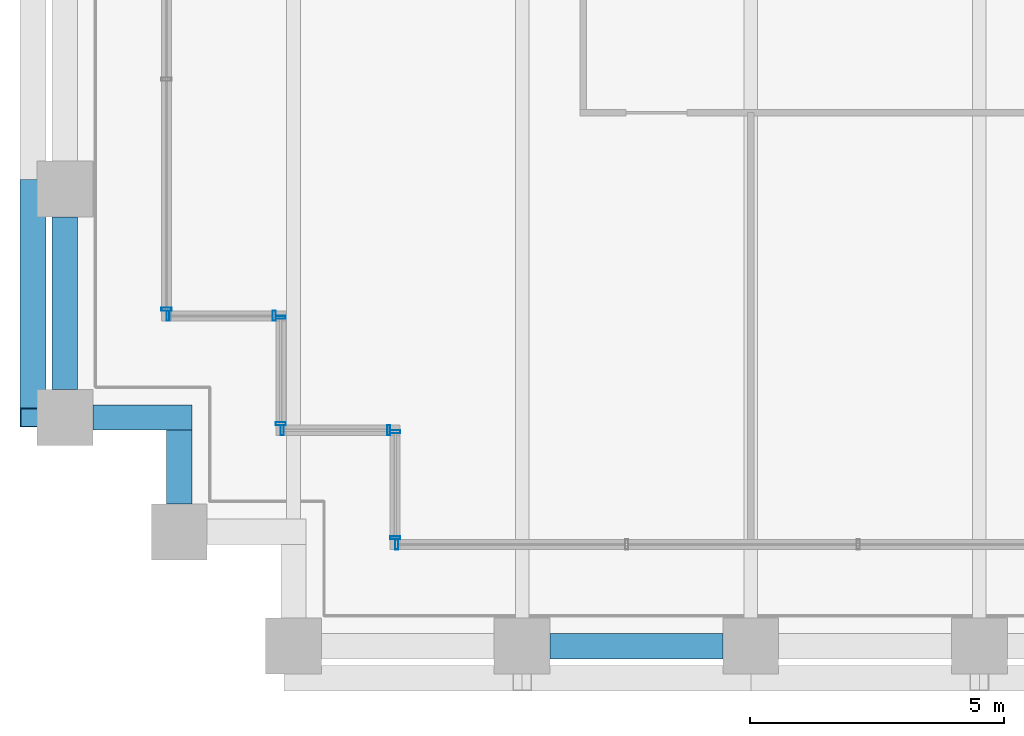
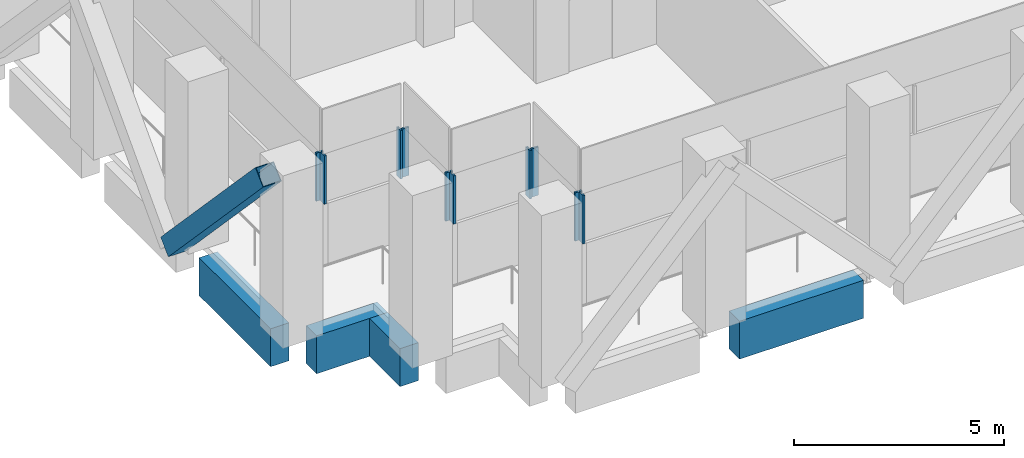
# One storey, part 2 of 44: 11 members, 4 beams, 6 elements without a shape of their own.
"""IFC4 building model written with IfcOpenShell, lengths in metres."""

from ifc_helpers import new_model, si_unit, direction, frame, origin, origin_2d, place, context, subcontext, project, spatial, rectangle, hollow_rectangle, extrude, material, material_profile, profile_set, type_object, element, aggregate, save


model = new_model("IFC4")

# Units and contexts
model_context = context("Model", 3, precision=1e-05, world=origin(), true_north=direction((0.0, 1.0)))
body_context = subcontext(model_context, "Body", "Model", "MODEL_VIEW")
ifc_project = project(units=[si_unit("LENGTHUNIT", "METRE"), si_unit("AREAUNIT", "SQUARE_METRE"), si_unit("VOLUMEUNIT", "CUBIC_METRE"), si_unit("PLANEANGLEUNIT", "RADIAN"), si_unit("MASSUNIT", "GRAM", prefix="KILO")], contexts=[model_context])

# Site, building, storey
site_placement = place(None, origin())
site = spatial("IfcSite", under=ifc_project, at=site_placement, CompositionType="ELEMENT")
building_placement = place(site_placement, origin())
building = spatial("IfcBuilding", under=site, at=building_placement, Name="Altepetl Exchange Towers", CompositionType="ELEMENT")
storey_placement = place(building_placement, frame((0.0, 0.0, 87.0)))
storey = spatial("IfcBuildingStorey", under=building, at=storey_placement, Name="L21 Refuge", CompositionType="ELEMENT", Elevation=87.0)

# Member
ifc_material_1 = material(Name="Steel S355", Category="steel")
ifc_material_profile_1 = material_profile(ifc_material_1, hollow_rectangle(XDim=0.508056640625, YDim=0.508056640625, WallThickness=0.017578125, at=origin_2d()), Name="HSS508X508X19.0")
ifc_profile_set_1 = profile_set([ifc_material_profile_1], Name="Steel S355")
member_type_1 = type_object("IfcMemberType", Name="Belt diagonal HSS508X508X19.0", PredefinedType="BRACE", material=ifc_profile_set_1)
member_1_placement = place(storey_placement, frame((26.3701171875, 36.0, 0.0), z_axis=(0.0, -0.687744647911, 0.725952683906), x_axis=(1.0, 0.0, 0.0)))
element("IfcMember", 1, at=member_1_placement, inside=storey, type_object=member_type_1, Name="brc:A:L21:028", PredefinedType="BRACE", context=body_context, shape_type="SweptSolid", body=[
    extrude(hollow_rectangle(XDim=0.508056640625, YDim=0.508056640625, WallThickness=0.017578125, at=origin_2d()), origin(), (0.0, 0.0, 1.0), 6.543212890625),
])

# Curtain wall, member
ifc_material_2 = material(Name="Aluminium 6063-T6 glazing", Category="aluminium")
curtain_wall_type = type_object("IfcCurtainWallType", Name="Refuge slit glazing system", PredefinedType="NOTDEFINED", material=ifc_material_2)
curtain_wall_1_placement = place(storey_placement, origin())
curtain_wall_1 = element("IfcCurtainWall", 2, at=curtain_wall_1_placement, inside=storey, type_object=curtain_wall_type, Name="CW3 run", PredefinedType="NOTDEFINED")
ifc_material_3 = material(Name="Aluminium 6063-T6", Category="aluminium")
ifc_material_profile_2 = material_profile(ifc_material_3, hollow_rectangle(XDim=0.06005859375, YDim=0.199951171875, WallThickness=0.0029296875, at=origin_2d()), Name="Mullion 60x200 aluminium")
ifc_profile_set_2 = profile_set([ifc_material_profile_2], Name="Aluminium 6063-T6")
member_type_2 = type_object("IfcMemberType", Name="Mullion 60x200 aluminium", PredefinedType="MULLION", material=ifc_profile_set_2)
member_2_placement = place(storey_placement, frame((29.0, 33.6298828125, 1.800048828125), z_axis=(0.0, 0.0, 1.0), x_axis=(0.0, -1.0, 0.0)))
member_2 = element("IfcMember", 3, at=member_2_placement, type_object=member_type_2, Name="MU2 mullion", PredefinedType="MULLION", context=body_context, shape_type="SweptSolid", body=[
    extrude(hollow_rectangle(XDim=0.06005859375, YDim=0.199951171875, WallThickness=0.0029296875, at=origin_2d()), origin(), (0.0, 0.0, 1.0), 1.39990234375),
])
aggregate(curtain_wall_1, [member_2])

# Curtain wall, members
curtain_wall_2_placement = place(storey_placement, origin())
curtain_wall_2 = element("IfcCurtainWall", 4, at=curtain_wall_2_placement, inside=storey, type_object=curtain_wall_type, Name="CW3 run", PredefinedType="NOTDEFINED")
member_3_placement = place(storey_placement, frame((29.030029296875, 33.5, 1.800048828125)))
member_3 = element("IfcMember", 5, at=member_3_placement, type_object=member_type_2, Name="MU2 mullion", PredefinedType="MULLION", context=body_context, shape_type="SweptSolid", body=[
    extrude(hollow_rectangle(XDim=0.06005859375, YDim=0.199951171875, WallThickness=0.0029296875, at=origin_2d()), origin(), (0.0, 0.0, 1.0), 1.39990234375),
])
member_4_placement = place(storey_placement, frame((31.1201171875, 33.5, 1.800048828125)))
member_4 = element("IfcMember", 6, at=member_4_placement, type_object=member_type_2, Name="MU2 mullion", PredefinedType="MULLION", context=body_context, shape_type="SweptSolid", body=[
    extrude(hollow_rectangle(XDim=0.06005859375, YDim=0.199951171875, WallThickness=0.0029296875, at=origin_2d()), origin(), (0.0, 0.0, 1.0), 1.39990234375),
])
aggregate(curtain_wall_2, [member_3, member_4])

curtain_wall_3_placement = place(storey_placement, origin())
curtain_wall_3 = element("IfcCurtainWall", 7, at=curtain_wall_3_placement, inside=storey, type_object=curtain_wall_type, Name="CW3 run", PredefinedType="NOTDEFINED")
member_5_placement = place(storey_placement, frame((31.25, 33.469970703125, 1.800048828125), z_axis=(0.0, 0.0, 1.0), x_axis=(0.0, -1.0, 0.0)))
member_5 = element("IfcMember", 8, at=member_5_placement, type_object=member_type_2, Name="MU2 mullion", PredefinedType="MULLION", context=body_context, shape_type="SweptSolid", body=[
    extrude(hollow_rectangle(XDim=0.06005859375, YDim=0.199951171875, WallThickness=0.0029296875, at=origin_2d()), origin(), (0.0, 0.0, 1.0), 1.39990234375),
])
member_6_placement = place(storey_placement, frame((31.25, 31.3798828125, 1.800048828125), z_axis=(0.0, 0.0, 1.0), x_axis=(0.0, -1.0, 0.0)))
member_6 = element("IfcMember", 9, at=member_6_placement, type_object=member_type_2, Name="MU2 mullion", PredefinedType="MULLION", context=body_context, shape_type="SweptSolid", body=[
    extrude(hollow_rectangle(XDim=0.06005859375, YDim=0.199951171875, WallThickness=0.0029296875, at=origin_2d()), origin(), (0.0, 0.0, 1.0), 1.39990234375),
])
aggregate(curtain_wall_3, [member_5, member_6])

curtain_wall_4_placement = place(storey_placement, origin())
curtain_wall_4 = element("IfcCurtainWall", 10, at=curtain_wall_4_placement, inside=storey, type_object=curtain_wall_type, Name="CW3 run", PredefinedType="NOTDEFINED")
member_7_placement = place(storey_placement, frame((31.280029296875, 31.25, 1.800048828125)))
member_7 = element("IfcMember", 11, at=member_7_placement, type_object=member_type_2, Name="MU2 mullion", PredefinedType="MULLION", context=body_context, shape_type="SweptSolid", body=[
    extrude(hollow_rectangle(XDim=0.06005859375, YDim=0.199951171875, WallThickness=0.0029296875, at=origin_2d()), origin(), (0.0, 0.0, 1.0), 1.39990234375),
])
member_8_placement = place(storey_placement, frame((33.3701171875, 31.25, 1.800048828125)))
member_8 = element("IfcMember", 12, at=member_8_placement, type_object=member_type_2, Name="MU2 mullion", PredefinedType="MULLION", context=body_context, shape_type="SweptSolid", body=[
    extrude(hollow_rectangle(XDim=0.06005859375, YDim=0.199951171875, WallThickness=0.0029296875, at=origin_2d()), origin(), (0.0, 0.0, 1.0), 1.39990234375),
])
aggregate(curtain_wall_4, [member_7, member_8])

curtain_wall_5_placement = place(storey_placement, origin())
curtain_wall_5 = element("IfcCurtainWall", 13, at=curtain_wall_5_placement, inside=storey, type_object=curtain_wall_type, Name="CW3 run", PredefinedType="NOTDEFINED")
member_9_placement = place(storey_placement, frame((33.5, 31.219970703125, 1.800048828125), z_axis=(0.0, 0.0, 1.0), x_axis=(0.0, -1.0, 0.0)))
member_9 = element("IfcMember", 14, at=member_9_placement, type_object=member_type_2, Name="MU2 mullion", PredefinedType="MULLION", context=body_context, shape_type="SweptSolid", body=[
    extrude(hollow_rectangle(XDim=0.06005859375, YDim=0.199951171875, WallThickness=0.0029296875, at=origin_2d()), origin(), (0.0, 0.0, 1.0), 1.39990234375),
])
member_10_placement = place(storey_placement, frame((33.5, 29.1298828125, 1.800048828125), z_axis=(0.0, 0.0, 1.0), x_axis=(0.0, -1.0, 0.0)))
member_10 = element("IfcMember", 15, at=member_10_placement, type_object=member_type_2, Name="MU2 mullion", PredefinedType="MULLION", context=body_context, shape_type="SweptSolid", body=[
    extrude(hollow_rectangle(XDim=0.06005859375, YDim=0.199951171875, WallThickness=0.0029296875, at=origin_2d()), origin(), (0.0, 0.0, 1.0), 1.39990234375),
])
aggregate(curtain_wall_5, [member_9, member_10])

# Curtain wall, member
curtain_wall_6_placement = place(storey_placement, origin())
curtain_wall_6 = element("IfcCurtainWall", 16, at=curtain_wall_6_placement, inside=storey, type_object=curtain_wall_type, Name="CW3 run", PredefinedType="NOTDEFINED")
member_11_placement = place(storey_placement, frame((33.530029296875, 29.0, 1.800048828125)))
member_11 = element("IfcMember", 17, at=member_11_placement, type_object=member_type_2, Name="MU2 mullion", PredefinedType="MULLION", context=body_context, shape_type="SweptSolid", body=[
    extrude(hollow_rectangle(XDim=0.06005859375, YDim=0.199951171875, WallThickness=0.0029296875, at=origin_2d()), origin(), (0.0, 0.0, 1.0), 1.39990234375),
])
aggregate(curtain_wall_6, [member_11])

# Beams
ifc_material_4 = material(Name="Concrete C50/60 precast with cantera blanca facing", Category="concrete")
ifc_material_profile_3 = material_profile(ifc_material_4, rectangle(XDim=0.5, YDim=1.10009765625, at=origin_2d()), Name="500 x 1100")
ifc_profile_set_3 = profile_set([ifc_material_profile_3], Name="Concrete C50/60 precast with cantera blanca facing")
beam_type = type_object("IfcBeamType", Name="Spandrel beam 500x1100 cantera blanca", PredefinedType="SPANDREL", material=ifc_profile_set_3)
for number, where, z_axis, x_axis, name in (
    (18, (36.550048828125, 27.0, -0.75), (1.0, 0.0, 0.0), (0.0, 1.0, 0.0), "sp:A:L21:001"),
    (19, (27.0, 35.449951171875, -0.75), (0.0, -1.0, 0.0), (1.0, 0.0, 0.0), "sp:A:L21:043"),
):
    element("IfcBeam", number, at=place(storey_placement, frame(where, z_axis=z_axis, x_axis=x_axis)), inside=storey, type_object=beam_type, Name=name, PredefinedType="SPANDREL", context=body_context, shape_type="SweptSolid", body=[
        extrude(rectangle(XDim=0.5, YDim=1.10009765625, at=origin_2d()), origin(), (0.0, 0.0, 1.0), 3.39990234375),
    ])
beam_1_placement = place(storey_placement, frame((27.550048828125, 31.5, -0.75), z_axis=(1.0, 0.0, 0.0), x_axis=(0.0, 1.0, 0.0)))
element("IfcBeam", 20, at=beam_1_placement, inside=storey, type_object=beam_type, Name="sp:A:L21:044", PredefinedType="SPANDREL", context=body_context, shape_type="SweptSolid", body=[
    extrude(rectangle(XDim=0.5, YDim=1.10009765625, at=origin_2d()), origin(), (0.0, 0.0, 1.0), 1.949951171875),
])
beam_2_placement = place(storey_placement, frame((29.25, 31.25, -0.75), z_axis=(0.0, -1.0, 0.0), x_axis=(1.0, 0.0, 0.0)))
element("IfcBeam", 21, at=beam_2_placement, inside=storey, type_object=beam_type, Name="sp:A:L21:045", PredefinedType="SPANDREL", context=body_context, shape_type="SweptSolid", body=[
    extrude(rectangle(XDim=0.5, YDim=1.10009765625, at=origin_2d()), origin(), (0.0, 0.0, 1.0), 1.449951171875),
])

save(model, "model.ifc")
